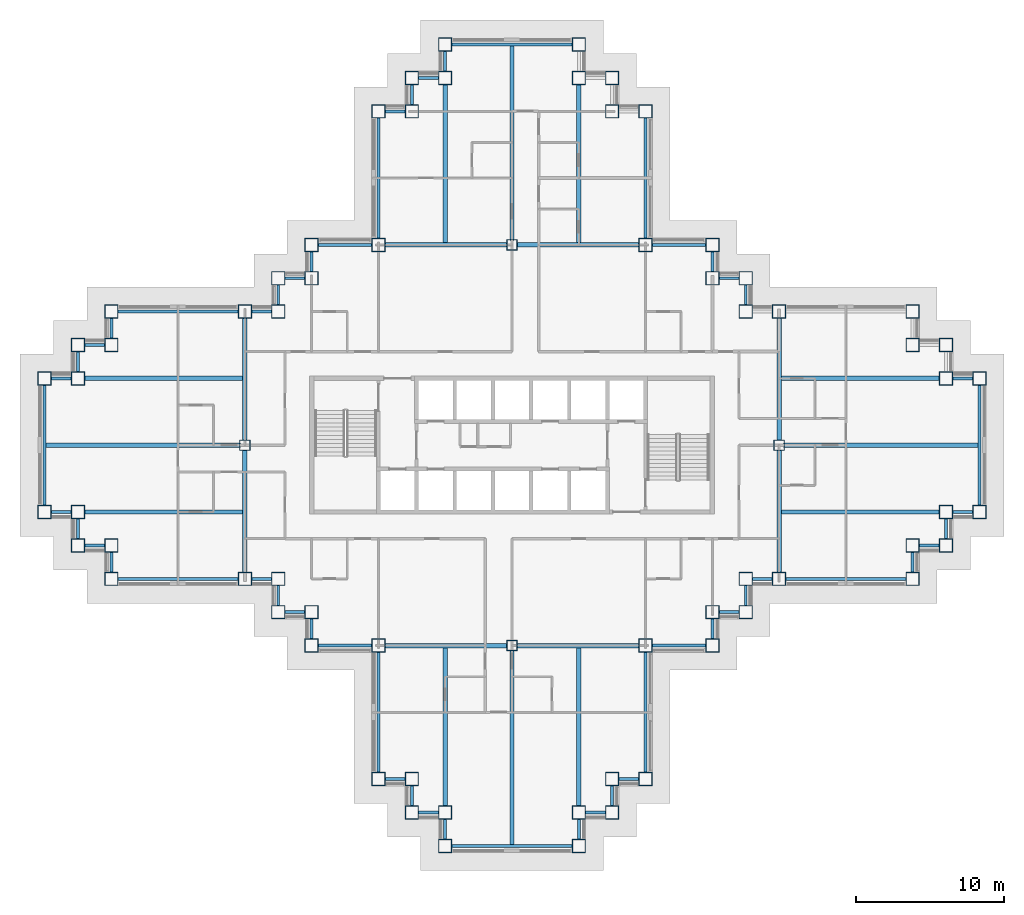
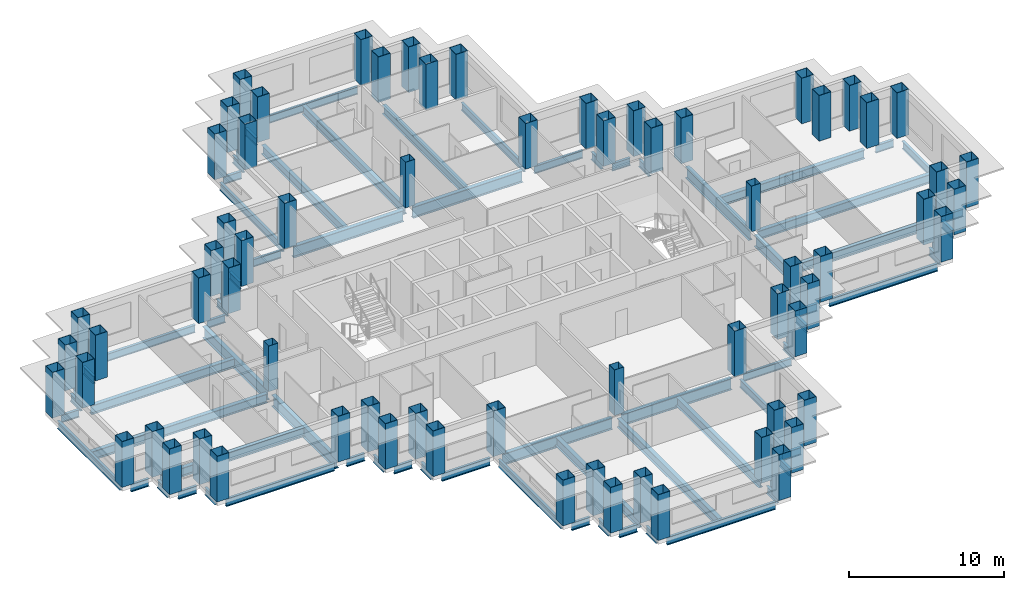
# One storey, part 1 of 14: 75 beams, 68 columns.
"""IFC4 building model written with IfcOpenShell, lengths in metres."""

from ifc_helpers import new_model, si_unit, direction, frame, origin, origin_2d, place, context, subcontext, project, spatial, hollow_rectangle, i_section, extrude, material, material_profile, profile_set, type_object, element, save


model = new_model("IFC4")

# Units and contexts
model_context = context("Model", 3, precision=1e-05, world=origin(), true_north=direction((0.0, 1.0)))
body_context = subcontext(model_context, "Body", "Model", "MODEL_VIEW")
ifc_project = project(units=[si_unit("LENGTHUNIT", "METRE"), si_unit("AREAUNIT", "SQUARE_METRE"), si_unit("VOLUMEUNIT", "CUBIC_METRE"), si_unit("PLANEANGLEUNIT", "RADIAN"), si_unit("MASSUNIT", "GRAM", prefix="KILO")], contexts=[model_context])

# Site, building, storey
site_placement = place(None, origin())
site = spatial("IfcSite", under=ifc_project, at=site_placement, CompositionType="ELEMENT")
building_placement = place(site_placement, origin())
building = spatial("IfcBuilding", under=site, at=building_placement, Name="Caravel Reach Hotel and Residences", CompositionType="ELEMENT")
storey_placement = place(building_placement, frame((0.0, 0.0, 118.800048828125)))
storey = spatial("IfcBuildingStorey", under=building, at=storey_placement, Name="L29", CompositionType="ELEMENT", Elevation=118.800048828125)

# Columns
ifc_material_1 = material(Name="Concrete-filled steel tube Q390B with Concrete C70 infill", Category="concrete")
ifc_material_profile_1 = material_profile(ifc_material_1, hollow_rectangle(XDim=0.699951171875, YDim=0.699951171875, WallThickness=0.02197265625, at=origin_2d()), Name="RHS 700x700x22")
ifc_profile_set_1 = profile_set([ifc_material_profile_1], Name="Concrete-filled steel tube Q390B with Concrete C70 infill")
column_type_1 = type_object("IfcColumnType", Name="CFT 700x700 Q390B C70", PredefinedType="COLUMN", material=ifc_profile_set_1)
for number, where, z_axis, x_axis, name in (
    (1, (31.5, 40.5, 0.0), (0.0, 0.0, 1.0), (1.0, 0.0, 0.0), "C6 column"),
    (2, (31.5, 13.5, 0.0), (0.0, 0.0, 1.0), (1.0, 0.0, 0.0), "C6 column"),
    (3, (13.5, 27.0, 0.0), (0.0, 0.0, 1.0), (1.0, 0.0, 0.0), "C6 column"),
    (4, (49.5, 27.0, 0.0), (0.0, 0.0, 1.0), (1.0, 0.0, 0.0), "C6 column"),
):
    element("IfcColumn", number, at=place(storey_placement, frame(where, z_axis=z_axis, x_axis=x_axis)), inside=storey, type_object=column_type_1, Name=name, PredefinedType="COLUMN", context=body_context, shape_type="SweptSolid", body=[
        extrude(hollow_rectangle(XDim=0.699951171875, YDim=0.699951171875, WallThickness=0.02197265625, at=origin_2d()), origin(), (0.0, 0.0, 1.0), 3.599853515625),
    ])
ifc_material_2 = material(Name="Concrete-filled steel tube Q390B with Concrete C70 infill", Category="concrete")
ifc_material_profile_2 = material_profile(ifc_material_2, hollow_rectangle(XDim=0.89990234375, YDim=0.89990234375, WallThickness=0.028076171875, at=origin_2d()), Name="RHS 900x900x28")
ifc_profile_set_2 = profile_set([ifc_material_profile_2], Name="Concrete-filled steel tube Q390B with Concrete C70 infill")
column_type_2 = type_object("IfcColumnType", Name="CFT 900x900 Q390B C70", PredefinedType="COLUMN", material=ifc_profile_set_2)
for number, where, z_axis, x_axis, name in (
    (5, (22.5, 4.5, 0.0), (0.0, 0.0, 1.0), (1.0, 0.0, 0.0), "C3 column"),
    (6, (24.75, 4.5, 0.0), (0.0, 0.0, 1.0), (1.0, 0.0, 0.0), "C3 column"),
    (7, (24.75, 2.25, 0.0), (0.0, 0.0, 1.0), (1.0, 0.0, 0.0), "C3 column"),
    (8, (27.0, 2.25, 0.0), (0.0, 0.0, 1.0), (1.0, 0.0, 0.0), "C3 column"),
    (9, (27.0, 0.0, 0.0), (0.0, 0.0, 1.0), (1.0, 0.0, 0.0), "C3 column"),
    (10, (36.0, 0.0, 0.0), (0.0, 0.0, 1.0), (1.0, 0.0, 0.0), "C3 column"),
    (11, (36.0, 2.25, 0.0), (0.0, 0.0, 1.0), (1.0, 0.0, 0.0), "C3 column"),
    (12, (38.25, 2.25, 0.0), (0.0, 0.0, 1.0), (1.0, 0.0, 0.0), "C3 column"),
    (13, (38.25, 4.5, 0.0), (0.0, 0.0, 1.0), (1.0, 0.0, 0.0), "C3 column"),
    (14, (40.5, 4.5, 0.0), (0.0, 0.0, 1.0), (1.0, 0.0, 0.0), "C3 column"),
    (15, (40.5, 13.5, 0.0), (0.0, 0.0, 1.0), (1.0, 0.0, 0.0), "C3 column"),
    (16, (45.0, 13.5, 0.0), (0.0, 0.0, 1.0), (1.0, 0.0, 0.0), "C3 column"),
    (17, (45.0, 15.75, 0.0), (0.0, 0.0, 1.0), (1.0, 0.0, 0.0), "C3 column"),
    (18, (47.25, 15.75, 0.0), (0.0, 0.0, 1.0), (1.0, 0.0, 0.0), "C3 column"),
    (19, (47.25, 18.0, 0.0), (0.0, 0.0, 1.0), (1.0, 0.0, 0.0), "C3 column"),
    (20, (49.5, 18.0, 0.0), (0.0, 0.0, 1.0), (1.0, 0.0, 0.0), "C3 column"),
    (21, (58.5, 18.0, 0.0), (0.0, 0.0, 1.0), (1.0, 0.0, 0.0), "C3 column"),
    (22, (58.5, 20.25, 0.0), (0.0, 0.0, 1.0), (1.0, 0.0, 0.0), "C3 column"),
    (23, (60.75, 20.25, 0.0), (0.0, 0.0, 1.0), (1.0, 0.0, 0.0), "C3 column"),
    (24, (60.75, 22.5, 0.0), (0.0, 0.0, 1.0), (1.0, 0.0, 0.0), "C3 column"),
    (25, (63.0, 22.5, 0.0), (0.0, 0.0, 1.0), (1.0, 0.0, 0.0), "C3 column"),
    (26, (63.0, 31.5, 0.0), (0.0, 0.0, 1.0), (1.0, 0.0, 0.0), "C3 column"),
    (27, (60.75, 31.5, 0.0), (0.0, 0.0, 1.0), (1.0, 0.0, 0.0), "C3 column"),
    (28, (60.75, 33.75, 0.0), (0.0, 0.0, 1.0), (1.0, 0.0, 0.0), "C3 column"),
    (29, (58.5, 33.75, 0.0), (0.0, 0.0, 1.0), (1.0, 0.0, 0.0), "C3 column"),
    (30, (58.5, 36.0, 0.0), (0.0, 0.0, 1.0), (1.0, 0.0, 0.0), "C3 column"),
    (31, (49.5, 36.0, 0.0), (0.0, 0.0, 1.0), (1.0, 0.0, 0.0), "C3 column"),
    (32, (47.25, 36.0, 0.0), (0.0, 0.0, 1.0), (1.0, 0.0, 0.0), "C3 column"),
    (33, (47.25, 38.25, 0.0), (0.0, 0.0, 1.0), (1.0, 0.0, 0.0), "C3 column"),
    (34, (45.0, 38.25, 0.0), (0.0, 0.0, 1.0), (1.0, 0.0, 0.0), "C3 column"),
    (35, (45.0, 40.5, 0.0), (0.0, 0.0, 1.0), (1.0, 0.0, 0.0), "C3 column"),
    (36, (40.5, 40.5, 0.0), (0.0, 0.0, 1.0), (1.0, 0.0, 0.0), "C3 column"),
    (37, (40.5, 49.5, 0.0), (0.0, 0.0, 1.0), (1.0, 0.0, 0.0), "C3 column"),
    (38, (38.25, 49.5, 0.0), (0.0, 0.0, 1.0), (1.0, 0.0, 0.0), "C3 column"),
    (39, (38.25, 51.75, 0.0), (0.0, 0.0, 1.0), (1.0, 0.0, 0.0), "C3 column"),
    (40, (36.0, 51.75, 0.0), (0.0, 0.0, 1.0), (1.0, 0.0, 0.0), "C3 column"),
    (41, (36.0, 54.0, 0.0), (0.0, 0.0, 1.0), (1.0, 0.0, 0.0), "C3 column"),
    (42, (27.0, 54.0, 0.0), (0.0, 0.0, 1.0), (1.0, 0.0, 0.0), "C3 column"),
    (43, (27.0, 51.75, 0.0), (0.0, 0.0, 1.0), (1.0, 0.0, 0.0), "C3 column"),
    (44, (24.75, 51.75, 0.0), (0.0, 0.0, 1.0), (1.0, 0.0, 0.0), "C3 column"),
    (45, (24.75, 49.5, 0.0), (0.0, 0.0, 1.0), (1.0, 0.0, 0.0), "C3 column"),
    (46, (22.5, 49.5, 0.0), (0.0, 0.0, 1.0), (1.0, 0.0, 0.0), "C3 column"),
    (47, (22.5, 40.5, 0.0), (0.0, 0.0, 1.0), (1.0, 0.0, 0.0), "C3 column"),
    (48, (18.0, 40.5, 0.0), (0.0, 0.0, 1.0), (1.0, 0.0, 0.0), "C3 column"),
    (49, (18.0, 38.25, 0.0), (0.0, 0.0, 1.0), (1.0, 0.0, 0.0), "C3 column"),
    (50, (15.75, 38.25, 0.0), (0.0, 0.0, 1.0), (1.0, 0.0, 0.0), "C3 column"),
    (51, (15.75, 36.0, 0.0), (0.0, 0.0, 1.0), (1.0, 0.0, 0.0), "C3 column"),
    (52, (13.5, 36.0, 0.0), (0.0, 0.0, 1.0), (1.0, 0.0, 0.0), "C3 column"),
    (53, (4.5, 36.0, 0.0), (0.0, 0.0, 1.0), (1.0, 0.0, 0.0), "C3 column"),
    (54, (4.5, 33.75, 0.0), (0.0, 0.0, 1.0), (1.0, 0.0, 0.0), "C3 column"),
    (55, (2.25, 33.75, 0.0), (0.0, 0.0, 1.0), (1.0, 0.0, 0.0), "C3 column"),
    (56, (2.25, 31.5, 0.0), (0.0, 0.0, 1.0), (1.0, 0.0, 0.0), "C3 column"),
    (57, (0.0, 31.5, 0.0), (0.0, 0.0, 1.0), (1.0, 0.0, 0.0), "C3 column"),
    (58, (0.0, 22.5, 0.0), (0.0, 0.0, 1.0), (1.0, 0.0, 0.0), "C3 column"),
    (59, (2.25, 22.5, 0.0), (0.0, 0.0, 1.0), (1.0, 0.0, 0.0), "C3 column"),
    (60, (2.25, 20.25, 0.0), (0.0, 0.0, 1.0), (1.0, 0.0, 0.0), "C3 column"),
    (61, (4.5, 20.25, 0.0), (0.0, 0.0, 1.0), (1.0, 0.0, 0.0), "C3 column"),
    (62, (4.5, 18.0, 0.0), (0.0, 0.0, 1.0), (1.0, 0.0, 0.0), "C3 column"),
    (63, (13.5, 18.0, 0.0), (0.0, 0.0, 1.0), (1.0, 0.0, 0.0), "C3 column"),
    (64, (15.75, 18.0, 0.0), (0.0, 0.0, 1.0), (1.0, 0.0, 0.0), "C3 column"),
    (65, (15.75, 15.75, 0.0), (0.0, 0.0, 1.0), (1.0, 0.0, 0.0), "C3 column"),
    (66, (18.0, 15.75, 0.0), (0.0, 0.0, 1.0), (1.0, 0.0, 0.0), "C3 column"),
    (67, (18.0, 13.5, 0.0), (0.0, 0.0, 1.0), (1.0, 0.0, 0.0), "C3 column"),
    (68, (22.5, 13.5, 0.0), (0.0, 0.0, 1.0), (1.0, 0.0, 0.0), "C3 column"),
):
    element("IfcColumn", number, at=place(storey_placement, frame(where, z_axis=z_axis, x_axis=x_axis)), inside=storey, type_object=column_type_2, Name=name, PredefinedType="COLUMN", context=body_context, shape_type="SweptSolid", body=[
        extrude(hollow_rectangle(XDim=0.89990234375, YDim=0.89990234375, WallThickness=0.028076171875, at=origin_2d()), origin(), (0.0, 0.0, 1.0), 3.599853515625),
    ])

# Beams
ifc_material_3 = material(Name="Structural steel Q355B", Category="steel")
ifc_material_profile_3 = material_profile(ifc_material_3, i_section(OverallWidth=0.300048828125, OverallDepth=0.699951171875, WebThickness=0.012939453125, FlangeThickness=0.02392578125, FilletRadius=0.01806640625, at=origin_2d()), Name="HN 700x300x13x24")
ifc_profile_set_3 = profile_set([ifc_material_profile_3], Name="Structural steel Q355B")
beam_type_1 = type_object("IfcBeamType", Name="Beam HN 700x300x13x24", PredefinedType="BEAM", material=ifc_profile_set_3)
beam_1_placement = place(storey_placement, frame((27.0, 40.60009765625, -0.650146484375), z_axis=(0.0, 1.0, 0.0), x_axis=(-1.0, 0.0, 0.0)))
element("IfcBeam", 69, at=beam_1_placement, inside=storey, type_object=beam_type_1, Name="B2 HN 700x300x13x24", PredefinedType="BEAM", context=body_context, shape_type="SweptSolid", body=[
    extrude(i_section(OverallWidth=0.300048828125, OverallDepth=0.699951171875, WebThickness=0.012939453125, FlangeThickness=0.02392578125, FilletRadius=0.01806640625, at=origin_2d()), origin(), (0.0, 0.0, 1.0), 10.75),
])
beam_2_placement = place(storey_placement, frame((31.5, 40.800048828125, -0.650146484375), z_axis=(0.0, 1.0, 0.0), x_axis=(-1.0, 0.0, 0.0)))
element("IfcBeam", 70, at=beam_2_placement, inside=storey, type_object=beam_type_1, Name="B2 HN 700x300x13x24", PredefinedType="BEAM", context=body_context, shape_type="SweptSolid", body=[
    extrude(i_section(OverallWidth=0.300048828125, OverallDepth=0.699951171875, WebThickness=0.012939453125, FlangeThickness=0.02392578125, FilletRadius=0.01806640625, at=origin_2d()), origin(), (0.0, 0.0, 1.0), 13.099853515625),
])
for number, where, z_axis, x_axis, name in (
    (71, (36.0, 40.60009765625, -0.650146484375), (0.0, 1.0, 0.0), (-1.0, 0.0, 0.0), "B2 HN 700x300x13x24"),
    (72, (27.0, 13.39990234375, -0.650146484375), (0.0, -1.0, 0.0), (1.0, 0.0, 0.0), "B2 HN 700x300x13x24"),
):
    element("IfcBeam", number, at=place(storey_placement, frame(where, z_axis=z_axis, x_axis=x_axis)), inside=storey, type_object=beam_type_1, Name=name, PredefinedType="BEAM", context=body_context, shape_type="SweptSolid", body=[
        extrude(i_section(OverallWidth=0.300048828125, OverallDepth=0.699951171875, WebThickness=0.012939453125, FlangeThickness=0.02392578125, FilletRadius=0.01806640625, at=origin_2d()), origin(), (0.0, 0.0, 1.0), 10.75),
    ])
beam_3_placement = place(storey_placement, frame((31.5, 13.199951171875, -0.650146484375), z_axis=(0.0, -1.0, 0.0), x_axis=(1.0, 0.0, 0.0)))
element("IfcBeam", 73, at=beam_3_placement, inside=storey, type_object=beam_type_1, Name="B2 HN 700x300x13x24", PredefinedType="BEAM", context=body_context, shape_type="SweptSolid", body=[
    extrude(i_section(OverallWidth=0.300048828125, OverallDepth=0.699951171875, WebThickness=0.012939453125, FlangeThickness=0.02392578125, FilletRadius=0.01806640625, at=origin_2d()), origin(), (0.0, 0.0, 1.0), 13.099853515625),
])
for number, where, z_axis, x_axis, name in (
    (74, (36.0, 13.39990234375, -0.650146484375), (0.0, -1.0, 0.0), (1.0, 0.0, 0.0), "B2 HN 700x300x13x24"),
    (75, (49.60009765625, 22.5, -0.650146484375), (1.0, 0.0, 0.0), (0.0, 1.0, 0.0), "B2 HN 700x300x13x24"),
):
    element("IfcBeam", number, at=place(storey_placement, frame(where, z_axis=z_axis, x_axis=x_axis)), inside=storey, type_object=beam_type_1, Name=name, PredefinedType="BEAM", context=body_context, shape_type="SweptSolid", body=[
        extrude(i_section(OverallWidth=0.300048828125, OverallDepth=0.699951171875, WebThickness=0.012939453125, FlangeThickness=0.02392578125, FilletRadius=0.01806640625, at=origin_2d()), origin(), (0.0, 0.0, 1.0), 10.75),
    ])
beam_4_placement = place(storey_placement, frame((49.800048828125, 27.0, -0.650146484375), z_axis=(1.0, 0.0, 0.0), x_axis=(0.0, 1.0, 0.0)))
element("IfcBeam", 76, at=beam_4_placement, inside=storey, type_object=beam_type_1, Name="B2 HN 700x300x13x24", PredefinedType="BEAM", context=body_context, shape_type="SweptSolid", body=[
    extrude(i_section(OverallWidth=0.300048828125, OverallDepth=0.699951171875, WebThickness=0.012939453125, FlangeThickness=0.02392578125, FilletRadius=0.01806640625, at=origin_2d()), origin(), (0.0, 0.0, 1.0), 13.099853515625),
])
for number, where, z_axis, x_axis, name in (
    (77, (49.60009765625, 31.5, -0.650146484375), (1.0, 0.0, 0.0), (0.0, 1.0, 0.0), "B2 HN 700x300x13x24"),
    (78, (13.39990234375, 22.5, -0.650146484375), (-1.0, 0.0, 0.0), (0.0, -1.0, 0.0), "B2 HN 700x300x13x24"),
):
    element("IfcBeam", number, at=place(storey_placement, frame(where, z_axis=z_axis, x_axis=x_axis)), inside=storey, type_object=beam_type_1, Name=name, PredefinedType="BEAM", context=body_context, shape_type="SweptSolid", body=[
        extrude(i_section(OverallWidth=0.300048828125, OverallDepth=0.699951171875, WebThickness=0.012939453125, FlangeThickness=0.02392578125, FilletRadius=0.01806640625, at=origin_2d()), origin(), (0.0, 0.0, 1.0), 10.75),
    ])
beam_5_placement = place(storey_placement, frame((13.199951171875, 27.0, -0.650146484375), z_axis=(-1.0, 0.0, 0.0), x_axis=(0.0, -1.0, 0.0)))
element("IfcBeam", 79, at=beam_5_placement, inside=storey, type_object=beam_type_1, Name="B2 HN 700x300x13x24", PredefinedType="BEAM", context=body_context, shape_type="SweptSolid", body=[
    extrude(i_section(OverallWidth=0.300048828125, OverallDepth=0.699951171875, WebThickness=0.012939453125, FlangeThickness=0.02392578125, FilletRadius=0.01806640625, at=origin_2d()), origin(), (0.0, 0.0, 1.0), 13.099853515625),
])
beam_6_placement = place(storey_placement, frame((13.39990234375, 31.5, -0.650146484375), z_axis=(-1.0, 0.0, 0.0), x_axis=(0.0, -1.0, 0.0)))
element("IfcBeam", 80, at=beam_6_placement, inside=storey, type_object=beam_type_1, Name="B2 HN 700x300x13x24", PredefinedType="BEAM", context=body_context, shape_type="SweptSolid", body=[
    extrude(i_section(OverallWidth=0.300048828125, OverallDepth=0.699951171875, WebThickness=0.012939453125, FlangeThickness=0.02392578125, FilletRadius=0.01806640625, at=origin_2d()), origin(), (0.0, 0.0, 1.0), 10.75),
])
ifc_material_4 = material(Name="Structural steel Q355B", Category="steel")
ifc_material_profile_4 = material_profile(ifc_material_4, i_section(OverallWidth=0.300048828125, OverallDepth=0.89990234375, WebThickness=0.01611328125, FlangeThickness=0.028076171875, FilletRadius=0.01806640625, at=origin_2d()), Name="HN 900x300x16x28")
ifc_profile_set_4 = profile_set([ifc_material_profile_4], Name="Structural steel Q355B")
beam_type_2 = type_object("IfcBeamType", Name="Beam HN 900x300x16x28", PredefinedType="BEAM", material=ifc_profile_set_4)
for number, where, z_axis, x_axis, name in (
    (81, (22.949951171875, 40.5, -0.75), (1.0, 0.0, 0.0), (0.0, 1.0, 0.0), "B3 HN 900x300x16x28"),
    (82, (31.85009765625, 40.5, -0.75), (1.0, 0.0, 0.0), (0.0, 1.0, 0.0), "B3 HN 900x300x16x28"),
    (83, (22.949951171875, 13.5, -0.75), (1.0, 0.0, 0.0), (0.0, 1.0, 0.0), "B3 HN 900x300x16x28"),
    (84, (31.85009765625, 13.5, -0.75), (1.0, 0.0, 0.0), (0.0, 1.0, 0.0), "B3 HN 900x300x16x28"),
    (85, (13.5, 18.449951171875, -0.75), (0.0, 1.0, 0.0), (-1.0, 0.0, 0.0), "B3 HN 900x300x16x28"),
    (86, (13.5, 27.35009765625, -0.75), (0.0, 1.0, 0.0), (-1.0, 0.0, 0.0), "B3 HN 900x300x16x28"),
    (87, (49.5, 18.449951171875, -0.75), (0.0, 1.0, 0.0), (-1.0, 0.0, 0.0), "B3 HN 900x300x16x28"),
    (88, (49.5, 27.35009765625, -0.75), (0.0, 1.0, 0.0), (-1.0, 0.0, 0.0), "B3 HN 900x300x16x28"),
):
    element("IfcBeam", number, at=place(storey_placement, frame(where, z_axis=z_axis, x_axis=x_axis)), inside=storey, type_object=beam_type_2, Name=name, PredefinedType="BEAM", context=body_context, shape_type="SweptSolid", body=[
        extrude(i_section(OverallWidth=0.300048828125, OverallDepth=0.89990234375, WebThickness=0.01611328125, FlangeThickness=0.028076171875, FilletRadius=0.01806640625, at=origin_2d()), origin(), (0.0, 0.0, 1.0), 8.199951171875),
    ])
ifc_material_5 = material(Name="Structural steel Q355B", Category="steel")
ifc_material_profile_5 = material_profile(ifc_material_5, i_section(OverallWidth=0.199951171875, OverallDepth=0.60009765625, WebThickness=0.010986328125, FlangeThickness=0.01708984375, FilletRadius=0.012939453125, at=origin_2d()), Name="HN 600x200x11x17")
ifc_profile_set_5 = profile_set([ifc_material_profile_5], Name="Structural steel Q355B")
beam_type_3 = type_object("IfcBeamType", Name="Spandrel beam HN 600x200x11x17", PredefinedType="SPANDREL", material=ifc_profile_set_5)
for number, where, z_axis, x_axis, name in (
    (89, (22.949951171875, 4.5, -0.60009765625), (1.0, 0.0, 0.0), (0.0, 1.0, 0.0), "SP1 HN 600x200x11x17"),
    (90, (24.75, 4.050048828125, -0.60009765625), (0.0, -1.0, 0.0), (1.0, 0.0, 0.0), "SP1 HN 600x200x11x17"),
    (91, (25.199951171875, 2.25, -0.60009765625), (1.0, 0.0, 0.0), (0.0, 1.0, 0.0), "SP1 HN 600x200x11x17"),
    (92, (27.0, 1.800048828125, -0.60009765625), (0.0, -1.0, 0.0), (1.0, 0.0, 0.0), "SP1 HN 600x200x11x17"),
):
    element("IfcBeam", number, at=place(storey_placement, frame(where, z_axis=z_axis, x_axis=x_axis)), inside=storey, type_object=beam_type_3, Name=name, PredefinedType="SPANDREL", context=body_context, shape_type="SweptSolid", body=[
        extrude(i_section(OverallWidth=0.199951171875, OverallDepth=0.60009765625, WebThickness=0.010986328125, FlangeThickness=0.01708984375, FilletRadius=0.012939453125, at=origin_2d()), origin(), (0.0, 0.0, 1.0), 1.35009765625),
    ])
beam_7_placement = place(storey_placement, frame((27.449951171875, 0.0, -0.60009765625), z_axis=(1.0, 0.0, 0.0), x_axis=(0.0, 1.0, 0.0)))
element("IfcBeam", 93, at=beam_7_placement, inside=storey, type_object=beam_type_3, Name="SP1 HN 600x200x11x17", PredefinedType="SPANDREL", context=body_context, shape_type="SweptSolid", body=[
    extrude(i_section(OverallWidth=0.199951171875, OverallDepth=0.60009765625, WebThickness=0.010986328125, FlangeThickness=0.01708984375, FilletRadius=0.012939453125, at=origin_2d()), origin(), (0.0, 0.0, 1.0), 8.10009765625),
])
for number, where, z_axis, x_axis, name in (
    (94, (36.0, 0.449951171875, -0.60009765625), (0.0, 1.0, 0.0), (-1.0, 0.0, 0.0), "SP1 HN 600x200x11x17"),
    (95, (36.449951171875, 2.25, -0.60009765625), (1.0, 0.0, 0.0), (0.0, 1.0, 0.0), "SP1 HN 600x200x11x17"),
    (96, (38.25, 2.699951171875, -0.60009765625), (0.0, 1.0, 0.0), (-1.0, 0.0, 0.0), "SP1 HN 600x200x11x17"),
    (97, (38.699951171875, 4.5, -0.60009765625), (1.0, 0.0, 0.0), (0.0, 1.0, 0.0), "SP1 HN 600x200x11x17"),
):
    element("IfcBeam", number, at=place(storey_placement, frame(where, z_axis=z_axis, x_axis=x_axis)), inside=storey, type_object=beam_type_3, Name=name, PredefinedType="SPANDREL", context=body_context, shape_type="SweptSolid", body=[
        extrude(i_section(OverallWidth=0.199951171875, OverallDepth=0.60009765625, WebThickness=0.010986328125, FlangeThickness=0.01708984375, FilletRadius=0.012939453125, at=origin_2d()), origin(), (0.0, 0.0, 1.0), 1.35009765625),
    ])
beam_8_placement = place(storey_placement, frame((40.5, 4.949951171875, -0.60009765625), z_axis=(0.0, 1.0, 0.0), x_axis=(-1.0, 0.0, 0.0)))
element("IfcBeam", 98, at=beam_8_placement, inside=storey, type_object=beam_type_3, Name="SP1 HN 600x200x11x17", PredefinedType="SPANDREL", context=body_context, shape_type="SweptSolid", body=[
    extrude(i_section(OverallWidth=0.199951171875, OverallDepth=0.60009765625, WebThickness=0.010986328125, FlangeThickness=0.01708984375, FilletRadius=0.012939453125, at=origin_2d()), origin(), (0.0, 0.0, 1.0), 8.10009765625),
])
beam_9_placement = place(storey_placement, frame((40.949951171875, 13.5, -0.60009765625), z_axis=(1.0, 0.0, 0.0), x_axis=(0.0, 1.0, 0.0)))
element("IfcBeam", 99, at=beam_9_placement, inside=storey, type_object=beam_type_3, Name="SP1 HN 600x200x11x17", PredefinedType="SPANDREL", context=body_context, shape_type="SweptSolid", body=[
    extrude(i_section(OverallWidth=0.199951171875, OverallDepth=0.60009765625, WebThickness=0.010986328125, FlangeThickness=0.01708984375, FilletRadius=0.012939453125, at=origin_2d()), origin(), (0.0, 0.0, 1.0), 3.60009765625),
])
for number, where, z_axis, x_axis, name in (
    (100, (45.0, 13.949951171875, -0.60009765625), (0.0, 1.0, 0.0), (-1.0, 0.0, 0.0), "SP1 HN 600x200x11x17"),
    (101, (45.449951171875, 15.75, -0.60009765625), (1.0, 0.0, 0.0), (0.0, 1.0, 0.0), "SP1 HN 600x200x11x17"),
    (102, (47.25, 16.199951171875, -0.60009765625), (0.0, 1.0, 0.0), (-1.0, 0.0, 0.0), "SP1 HN 600x200x11x17"),
    (103, (47.699951171875, 18.0, -0.60009765625), (1.0, 0.0, 0.0), (0.0, 1.0, 0.0), "SP1 HN 600x200x11x17"),
):
    element("IfcBeam", number, at=place(storey_placement, frame(where, z_axis=z_axis, x_axis=x_axis)), inside=storey, type_object=beam_type_3, Name=name, PredefinedType="SPANDREL", context=body_context, shape_type="SweptSolid", body=[
        extrude(i_section(OverallWidth=0.199951171875, OverallDepth=0.60009765625, WebThickness=0.010986328125, FlangeThickness=0.01708984375, FilletRadius=0.012939453125, at=origin_2d()), origin(), (0.0, 0.0, 1.0), 1.35009765625),
    ])
beam_10_placement = place(storey_placement, frame((49.949951171875, 18.0, -0.60009765625), z_axis=(1.0, 0.0, 0.0), x_axis=(0.0, 1.0, 0.0)))
element("IfcBeam", 104, at=beam_10_placement, inside=storey, type_object=beam_type_3, Name="SP1 HN 600x200x11x17", PredefinedType="SPANDREL", context=body_context, shape_type="SweptSolid", body=[
    extrude(i_section(OverallWidth=0.199951171875, OverallDepth=0.60009765625, WebThickness=0.010986328125, FlangeThickness=0.01708984375, FilletRadius=0.012939453125, at=origin_2d()), origin(), (0.0, 0.0, 1.0), 8.10009765625),
])
for number, where, z_axis, x_axis, name in (
    (105, (58.5, 18.449951171875, -0.60009765625), (0.0, 1.0, 0.0), (-1.0, 0.0, 0.0), "SP1 HN 600x200x11x17"),
    (106, (58.949951171875, 20.25, -0.60009765625), (1.0, 0.0, 0.0), (0.0, 1.0, 0.0), "SP1 HN 600x200x11x17"),
    (107, (60.75, 20.699951171875, -0.60009765625), (0.0, 1.0, 0.0), (-1.0, 0.0, 0.0), "SP1 HN 600x200x11x17"),
    (108, (61.199951171875, 22.5, -0.60009765625), (1.0, 0.0, 0.0), (0.0, 1.0, 0.0), "SP1 HN 600x200x11x17"),
):
    element("IfcBeam", number, at=place(storey_placement, frame(where, z_axis=z_axis, x_axis=x_axis)), inside=storey, type_object=beam_type_3, Name=name, PredefinedType="SPANDREL", context=body_context, shape_type="SweptSolid", body=[
        extrude(i_section(OverallWidth=0.199951171875, OverallDepth=0.60009765625, WebThickness=0.010986328125, FlangeThickness=0.01708984375, FilletRadius=0.012939453125, at=origin_2d()), origin(), (0.0, 0.0, 1.0), 1.35009765625),
    ])
beam_11_placement = place(storey_placement, frame((63.0, 22.949951171875, -0.60009765625), z_axis=(0.0, 1.0, 0.0), x_axis=(-1.0, 0.0, 0.0)))
element("IfcBeam", 109, at=beam_11_placement, inside=storey, type_object=beam_type_3, Name="SP1 HN 600x200x11x17", PredefinedType="SPANDREL", context=body_context, shape_type="SweptSolid", body=[
    extrude(i_section(OverallWidth=0.199951171875, OverallDepth=0.60009765625, WebThickness=0.010986328125, FlangeThickness=0.01708984375, FilletRadius=0.012939453125, at=origin_2d()), origin(), (0.0, 0.0, 1.0), 8.10009765625),
])
for number, where, z_axis, x_axis, name in (
    (110, (62.550048828125, 31.5, -0.60009765625), (-1.0, 0.0, 0.0), (0.0, -1.0, 0.0), "SP1 HN 600x200x11x17"),
    (111, (47.25, 36.449951171875, -0.60009765625), (0.0, 1.0, 0.0), (-1.0, 0.0, 0.0), "SP1 HN 600x200x11x17"),
    (112, (46.800048828125, 38.25, -0.60009765625), (-1.0, 0.0, 0.0), (0.0, -1.0, 0.0), "SP1 HN 600x200x11x17"),
    (113, (45.0, 38.699951171875, -0.60009765625), (0.0, 1.0, 0.0), (-1.0, 0.0, 0.0), "SP1 HN 600x200x11x17"),
):
    element("IfcBeam", number, at=place(storey_placement, frame(where, z_axis=z_axis, x_axis=x_axis)), inside=storey, type_object=beam_type_3, Name=name, PredefinedType="SPANDREL", context=body_context, shape_type="SweptSolid", body=[
        extrude(i_section(OverallWidth=0.199951171875, OverallDepth=0.60009765625, WebThickness=0.010986328125, FlangeThickness=0.01708984375, FilletRadius=0.012939453125, at=origin_2d()), origin(), (0.0, 0.0, 1.0), 1.35009765625),
    ])
beam_12_placement = place(storey_placement, frame((44.550048828125, 40.5, -0.60009765625), z_axis=(-1.0, 0.0, 0.0), x_axis=(0.0, -1.0, 0.0)))
element("IfcBeam", 114, at=beam_12_placement, inside=storey, type_object=beam_type_3, Name="SP1 HN 600x200x11x17", PredefinedType="SPANDREL", context=body_context, shape_type="SweptSolid", body=[
    extrude(i_section(OverallWidth=0.199951171875, OverallDepth=0.60009765625, WebThickness=0.010986328125, FlangeThickness=0.01708984375, FilletRadius=0.012939453125, at=origin_2d()), origin(), (0.0, 0.0, 1.0), 3.60009765625),
])
for number, where, z_axis, x_axis, name in (
    (115, (40.5, 40.949951171875, -0.60009765625), (0.0, 1.0, 0.0), (-1.0, 0.0, 0.0), "SP1 HN 600x200x11x17"),
    (116, (35.550048828125, 54.0, -0.60009765625), (-1.0, 0.0, 0.0), (0.0, -1.0, 0.0), "SP1 HN 600x200x11x17"),
):
    element("IfcBeam", number, at=place(storey_placement, frame(where, z_axis=z_axis, x_axis=x_axis)), inside=storey, type_object=beam_type_3, Name=name, PredefinedType="SPANDREL", context=body_context, shape_type="SweptSolid", body=[
        extrude(i_section(OverallWidth=0.199951171875, OverallDepth=0.60009765625, WebThickness=0.010986328125, FlangeThickness=0.01708984375, FilletRadius=0.012939453125, at=origin_2d()), origin(), (0.0, 0.0, 1.0), 8.10009765625),
    ])
for number, where, z_axis, x_axis, name in (
    (117, (27.0, 53.550048828125, -0.60009765625), (0.0, -1.0, 0.0), (1.0, 0.0, 0.0), "SP1 HN 600x200x11x17"),
    (118, (26.550048828125, 51.75, -0.60009765625), (-1.0, 0.0, 0.0), (0.0, -1.0, 0.0), "SP1 HN 600x200x11x17"),
    (119, (24.75, 51.300048828125, -0.60009765625), (0.0, -1.0, 0.0), (1.0, 0.0, 0.0), "SP1 HN 600x200x11x17"),
    (120, (24.300048828125, 49.5, -0.60009765625), (-1.0, 0.0, 0.0), (0.0, -1.0, 0.0), "SP1 HN 600x200x11x17"),
):
    element("IfcBeam", number, at=place(storey_placement, frame(where, z_axis=z_axis, x_axis=x_axis)), inside=storey, type_object=beam_type_3, Name=name, PredefinedType="SPANDREL", context=body_context, shape_type="SweptSolid", body=[
        extrude(i_section(OverallWidth=0.199951171875, OverallDepth=0.60009765625, WebThickness=0.010986328125, FlangeThickness=0.01708984375, FilletRadius=0.012939453125, at=origin_2d()), origin(), (0.0, 0.0, 1.0), 1.35009765625),
    ])
beam_13_placement = place(storey_placement, frame((22.5, 49.050048828125, -0.60009765625), z_axis=(0.0, -1.0, 0.0), x_axis=(1.0, 0.0, 0.0)))
element("IfcBeam", 121, at=beam_13_placement, inside=storey, type_object=beam_type_3, Name="SP1 HN 600x200x11x17", PredefinedType="SPANDREL", context=body_context, shape_type="SweptSolid", body=[
    extrude(i_section(OverallWidth=0.199951171875, OverallDepth=0.60009765625, WebThickness=0.010986328125, FlangeThickness=0.01708984375, FilletRadius=0.012939453125, at=origin_2d()), origin(), (0.0, 0.0, 1.0), 8.10009765625),
])
beam_14_placement = place(storey_placement, frame((22.050048828125, 40.5, -0.60009765625), z_axis=(-1.0, 0.0, 0.0), x_axis=(0.0, -1.0, 0.0)))
element("IfcBeam", 122, at=beam_14_placement, inside=storey, type_object=beam_type_3, Name="SP1 HN 600x200x11x17", PredefinedType="SPANDREL", context=body_context, shape_type="SweptSolid", body=[
    extrude(i_section(OverallWidth=0.199951171875, OverallDepth=0.60009765625, WebThickness=0.010986328125, FlangeThickness=0.01708984375, FilletRadius=0.012939453125, at=origin_2d()), origin(), (0.0, 0.0, 1.0), 3.60009765625),
])
for number, where, z_axis, x_axis, name in (
    (123, (18.0, 40.050048828125, -0.60009765625), (0.0, -1.0, 0.0), (1.0, 0.0, 0.0), "SP1 HN 600x200x11x17"),
    (124, (17.550048828125, 38.25, -0.60009765625), (-1.0, 0.0, 0.0), (0.0, -1.0, 0.0), "SP1 HN 600x200x11x17"),
    (125, (15.75, 37.800048828125, -0.60009765625), (0.0, -1.0, 0.0), (1.0, 0.0, 0.0), "SP1 HN 600x200x11x17"),
    (126, (15.300048828125, 36.0, -0.60009765625), (-1.0, 0.0, 0.0), (0.0, -1.0, 0.0), "SP1 HN 600x200x11x17"),
):
    element("IfcBeam", number, at=place(storey_placement, frame(where, z_axis=z_axis, x_axis=x_axis)), inside=storey, type_object=beam_type_3, Name=name, PredefinedType="SPANDREL", context=body_context, shape_type="SweptSolid", body=[
        extrude(i_section(OverallWidth=0.199951171875, OverallDepth=0.60009765625, WebThickness=0.010986328125, FlangeThickness=0.01708984375, FilletRadius=0.012939453125, at=origin_2d()), origin(), (0.0, 0.0, 1.0), 1.35009765625),
    ])
beam_15_placement = place(storey_placement, frame((13.050048828125, 36.0, -0.60009765625), z_axis=(-1.0, 0.0, 0.0), x_axis=(0.0, -1.0, 0.0)))
element("IfcBeam", 127, at=beam_15_placement, inside=storey, type_object=beam_type_3, Name="SP1 HN 600x200x11x17", PredefinedType="SPANDREL", context=body_context, shape_type="SweptSolid", body=[
    extrude(i_section(OverallWidth=0.199951171875, OverallDepth=0.60009765625, WebThickness=0.010986328125, FlangeThickness=0.01708984375, FilletRadius=0.012939453125, at=origin_2d()), origin(), (0.0, 0.0, 1.0), 8.10009765625),
])
for number, where, z_axis, x_axis, name in (
    (128, (4.5, 35.550048828125, -0.60009765625), (0.0, -1.0, 0.0), (1.0, 0.0, 0.0), "SP1 HN 600x200x11x17"),
    (129, (4.050048828125, 33.75, -0.60009765625), (-1.0, 0.0, 0.0), (0.0, -1.0, 0.0), "SP1 HN 600x200x11x17"),
    (130, (2.25, 33.300048828125, -0.60009765625), (0.0, -1.0, 0.0), (1.0, 0.0, 0.0), "SP1 HN 600x200x11x17"),
    (131, (1.800048828125, 31.5, -0.60009765625), (-1.0, 0.0, 0.0), (0.0, -1.0, 0.0), "SP1 HN 600x200x11x17"),
):
    element("IfcBeam", number, at=place(storey_placement, frame(where, z_axis=z_axis, x_axis=x_axis)), inside=storey, type_object=beam_type_3, Name=name, PredefinedType="SPANDREL", context=body_context, shape_type="SweptSolid", body=[
        extrude(i_section(OverallWidth=0.199951171875, OverallDepth=0.60009765625, WebThickness=0.010986328125, FlangeThickness=0.01708984375, FilletRadius=0.012939453125, at=origin_2d()), origin(), (0.0, 0.0, 1.0), 1.35009765625),
    ])
beam_16_placement = place(storey_placement, frame((0.0, 31.050048828125, -0.60009765625), z_axis=(0.0, -1.0, 0.0), x_axis=(1.0, 0.0, 0.0)))
element("IfcBeam", 132, at=beam_16_placement, inside=storey, type_object=beam_type_3, Name="SP1 HN 600x200x11x17", PredefinedType="SPANDREL", context=body_context, shape_type="SweptSolid", body=[
    extrude(i_section(OverallWidth=0.199951171875, OverallDepth=0.60009765625, WebThickness=0.010986328125, FlangeThickness=0.01708984375, FilletRadius=0.012939453125, at=origin_2d()), origin(), (0.0, 0.0, 1.0), 8.10009765625),
])
for number, where, z_axis, x_axis, name in (
    (133, (0.449951171875, 22.5, -0.60009765625), (1.0, 0.0, 0.0), (0.0, 1.0, 0.0), "SP1 HN 600x200x11x17"),
    (134, (2.25, 22.050048828125, -0.60009765625), (0.0, -1.0, 0.0), (1.0, 0.0, 0.0), "SP1 HN 600x200x11x17"),
    (135, (2.699951171875, 20.25, -0.60009765625), (1.0, 0.0, 0.0), (0.0, 1.0, 0.0), "SP1 HN 600x200x11x17"),
    (136, (4.5, 19.800048828125, -0.60009765625), (0.0, -1.0, 0.0), (1.0, 0.0, 0.0), "SP1 HN 600x200x11x17"),
):
    element("IfcBeam", number, at=place(storey_placement, frame(where, z_axis=z_axis, x_axis=x_axis)), inside=storey, type_object=beam_type_3, Name=name, PredefinedType="SPANDREL", context=body_context, shape_type="SweptSolid", body=[
        extrude(i_section(OverallWidth=0.199951171875, OverallDepth=0.60009765625, WebThickness=0.010986328125, FlangeThickness=0.01708984375, FilletRadius=0.012939453125, at=origin_2d()), origin(), (0.0, 0.0, 1.0), 1.35009765625),
    ])
beam_17_placement = place(storey_placement, frame((4.949951171875, 18.0, -0.60009765625), z_axis=(1.0, 0.0, 0.0), x_axis=(0.0, 1.0, 0.0)))
element("IfcBeam", 137, at=beam_17_placement, inside=storey, type_object=beam_type_3, Name="SP1 HN 600x200x11x17", PredefinedType="SPANDREL", context=body_context, shape_type="SweptSolid", body=[
    extrude(i_section(OverallWidth=0.199951171875, OverallDepth=0.60009765625, WebThickness=0.010986328125, FlangeThickness=0.01708984375, FilletRadius=0.012939453125, at=origin_2d()), origin(), (0.0, 0.0, 1.0), 8.10009765625),
])
for number, where, z_axis, x_axis, name in (
    (138, (13.949951171875, 18.0, -0.60009765625), (1.0, 0.0, 0.0), (0.0, 1.0, 0.0), "SP1 HN 600x200x11x17"),
    (139, (15.75, 17.550048828125, -0.60009765625), (0.0, -1.0, 0.0), (1.0, 0.0, 0.0), "SP1 HN 600x200x11x17"),
    (140, (16.199951171875, 15.75, -0.60009765625), (1.0, 0.0, 0.0), (0.0, 1.0, 0.0), "SP1 HN 600x200x11x17"),
    (141, (18.0, 15.300048828125, -0.60009765625), (0.0, -1.0, 0.0), (1.0, 0.0, 0.0), "SP1 HN 600x200x11x17"),
):
    element("IfcBeam", number, at=place(storey_placement, frame(where, z_axis=z_axis, x_axis=x_axis)), inside=storey, type_object=beam_type_3, Name=name, PredefinedType="SPANDREL", context=body_context, shape_type="SweptSolid", body=[
        extrude(i_section(OverallWidth=0.199951171875, OverallDepth=0.60009765625, WebThickness=0.010986328125, FlangeThickness=0.01708984375, FilletRadius=0.012939453125, at=origin_2d()), origin(), (0.0, 0.0, 1.0), 1.35009765625),
    ])
beam_18_placement = place(storey_placement, frame((18.449951171875, 13.5, -0.60009765625), z_axis=(1.0, 0.0, 0.0), x_axis=(0.0, 1.0, 0.0)))
element("IfcBeam", 142, at=beam_18_placement, inside=storey, type_object=beam_type_3, Name="SP1 HN 600x200x11x17", PredefinedType="SPANDREL", context=body_context, shape_type="SweptSolid", body=[
    extrude(i_section(OverallWidth=0.199951171875, OverallDepth=0.60009765625, WebThickness=0.010986328125, FlangeThickness=0.01708984375, FilletRadius=0.012939453125, at=origin_2d()), origin(), (0.0, 0.0, 1.0), 3.60009765625),
])
beam_19_placement = place(storey_placement, frame((22.5, 13.050048828125, -0.60009765625), z_axis=(0.0, -1.0, 0.0), x_axis=(1.0, 0.0, 0.0)))
element("IfcBeam", 143, at=beam_19_placement, inside=storey, type_object=beam_type_3, Name="SP1 HN 600x200x11x17", PredefinedType="SPANDREL", context=body_context, shape_type="SweptSolid", body=[
    extrude(i_section(OverallWidth=0.199951171875, OverallDepth=0.60009765625, WebThickness=0.010986328125, FlangeThickness=0.01708984375, FilletRadius=0.012939453125, at=origin_2d()), origin(), (0.0, 0.0, 1.0), 8.10009765625),
])

save(model, "model.ifc")
